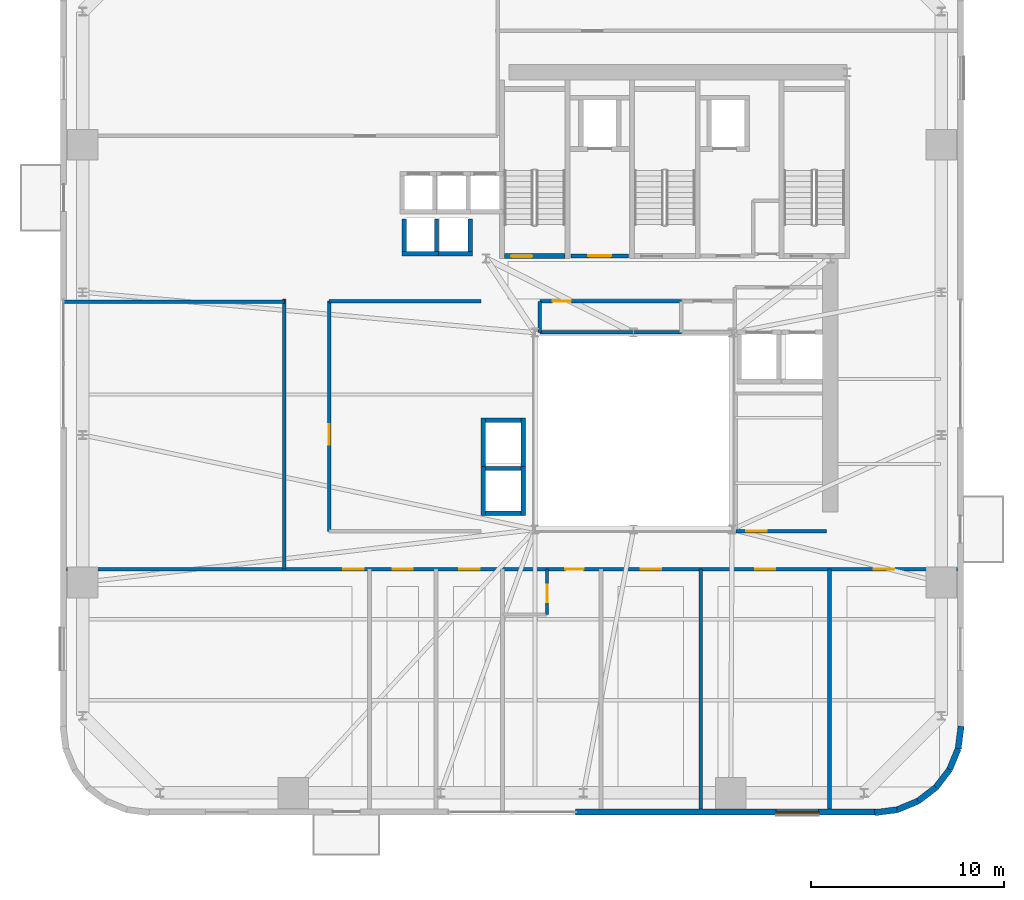
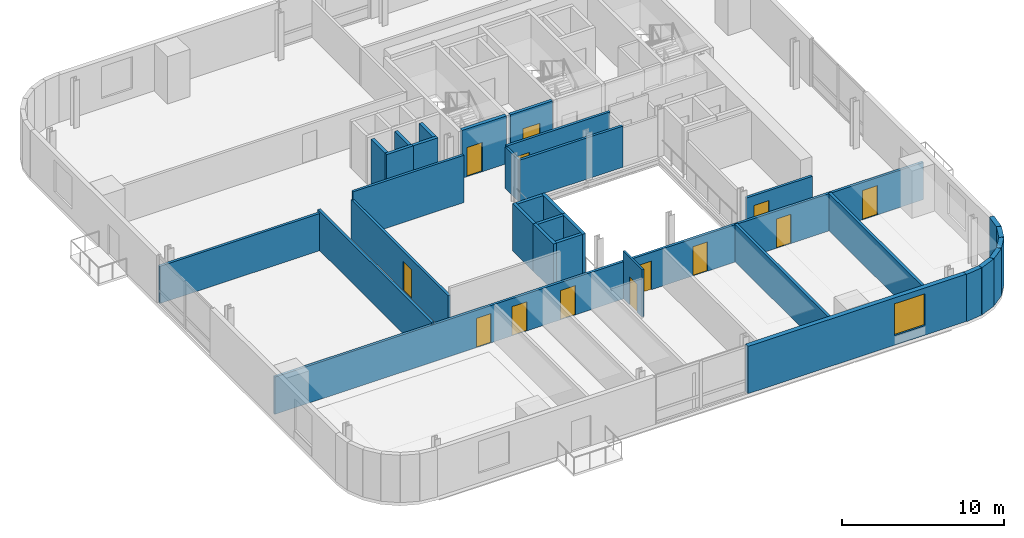
# One storey, part 6 of 14: 33 walls, 13 doors, 1 window, 14 openings.
"""IFC4 building model written with IfcOpenShell, lengths in metres."""

from ifc_helpers import new_model, si_unit, direction, frame, frame_2d, origin, place, context, subcontext, project, spatial, rectangle, extrude, source, transform, mapped, material, layer, layer_set, type_object, element, fill, save


model = new_model("IFC4")

# Units and contexts
model_context = context("Model", 3, precision=1e-05, world=origin(), true_north=direction((0.0, 1.0)))
body_context = subcontext(model_context, "Body", "Model", "MODEL_VIEW")
ifc_project = project(units=[si_unit("LENGTHUNIT", "METRE"), si_unit("AREAUNIT", "SQUARE_METRE"), si_unit("VOLUMEUNIT", "CUBIC_METRE"), si_unit("PLANEANGLEUNIT", "RADIAN"), si_unit("MASSUNIT", "GRAM", prefix="KILO")], contexts=[model_context])

# Site, building, storey
site_placement = place(None, origin())
site = spatial("IfcSite", under=ifc_project, at=site_placement, CompositionType="ELEMENT")
building_placement = place(site_placement, origin())
building = spatial("IfcBuilding", under=site, at=building_placement, Name="Vardaveli Station Tower", CompositionType="ELEMENT")
storey_placement = place(building_placement, frame((0.0, 0.0, 107.5)))
storey = spatial("IfcBuildingStorey", under=building, at=storey_placement, Name="L27", CompositionType="ELEMENT", Elevation=107.5)

# Wall, opening, window
ifc_material_1 = material(Name="Precast concrete C45/55", Category="concrete")
ifc_layer_1 = layer(ifc_material_1, 0.320068359375, Name="Precast concrete C45/55")
ifc_layer_set_1 = layer_set([ifc_layer_1], Name="Precast concrete C45/55")
wall_type_1 = type_object("IfcWallType", Name="WAL-EXT-STONE-320", PredefinedType="SOLIDWALL", material=ifc_layer_set_1)
shared_shape_1 = source(origin(), body_context, "Body", "SweptSolid", [
    extrude(rectangle(XDim=15.599853515625, YDim=0.320068359375, at=frame_2d((7.7998046875, 0.0))), origin(), (0.0, 0.0, 1.0), 3.56005859375),
])
wall_1_placement = place(storey_placement, frame((33.300048828125, 1.9599609375, 0.0), z_axis=(0.0, 0.0, 1.0), x_axis=(1.0, 0.0, 0.0)))
wall_1 = element("IfcWall", 1, at=wall_1_placement, inside=storey, type_object=wall_type_1, Name="EW-L27-S2", PredefinedType="SOLIDWALL", context=body_context, shape_type="MappedRepresentation", body=[
    mapped(shared_shape_1, transform((0.0, 0.0, 0.0), scale=1.0)),
])
shared_shape_2 = source(origin(), body_context, "Body", "SweptSolid", [
    extrude(rectangle(XDim=2.199951171875, YDim=2.39990234375, at=frame_2d((1.10009765625, 1.199951171875))), frame((0.0, 0.169921875, 0.0), z_axis=(0.0, -1.0, 0.0), x_axis=(1.0, 0.0, 0.0)), (0.0, 0.0, 1.0), 0.340087890625),
])
opening_1_placement = place(wall_1_placement, frame((10.39501953125, 0.0, 0.719970703125)))
opening_1 = element("IfcOpeningElement", 2, at=opening_1_placement, cuts=wall_1, Name="Opening W-03", PredefinedType="OPENING", context=body_context, shape_type="MappedRepresentation", body=[
    mapped(shared_shape_2, transform((0.0, 0.0, 0.0), scale=1.0)),
])
ifc_material_2 = material(Name="Low-E solar-control glass", Category="glass")
window_type = type_object("IfcWindowType", Name="WIN-LOG-2200x2400", PartitioningType="SINGLE_PANEL", PredefinedType="WINDOW", material=ifc_material_2)
shared_shape_3 = source(origin(), body_context, "Body", "SweptSolid", [
    extrude(rectangle(XDim=2.199951171875, YDim=2.39990234375, at=frame_2d((1.10009765625, 1.199951171875))), frame((0.0, 0.030029296875, 0.0), z_axis=(0.0, -1.0, 0.0), x_axis=(1.0, 0.0, 0.0)), (0.0, 0.0, 1.0), 0.06005859375),
])
window_placement = place(opening_1_placement, origin())
window = element("IfcWindow", 3, at=window_placement, inside=storey, type_object=window_type, Name="WN-L27-S2", OverallHeight=2.39990234375, OverallWidth=2.199951171875, PartitioningType="SINGLE_PANEL", PredefinedType="WINDOW", context=body_context, shape_type="MappedRepresentation", body=[
    mapped(shared_shape_3, transform((0.0, 0.0, 0.0), scale=1.0)),
])
fill(opening_1, window)

# Walls
shared_shape_4 = source(origin(), body_context, "Body", "SweptSolid", [
    extrude(rectangle(XDim=1.170654296875, YDim=0.320068359375, at=frame_2d((0.58544921875, 0.0))), origin(), (0.0, 0.0, 1.0), 3.56005859375),
])
wall_2_placement = place(storey_placement, frame((53.12548828125, 5.23974609375, 0.0), z_axis=(0.0, 0.0, 1.0), x_axis=(0.128269133229, 0.991739395941, 0.0)))
element("IfcWall", 4, at=wall_2_placement, inside=storey, type_object=wall_type_1, Name="EW-L27-CR2-6", PredefinedType="SOLIDWALL", context=body_context, shape_type="MappedRepresentation", body=[
    mapped(shared_shape_4, transform((0.0, 0.0, 0.0), scale=1.0)),
])
shared_shape_5 = source(origin(), body_context, "Body", "SweptSolid", [
    extrude(rectangle(XDim=1.1689453125, YDim=0.320068359375, at=frame_2d((0.58447265625, 0.0))), origin(), (0.0, 0.0, 1.0), 3.56005859375),
])
for number, where, z_axis, x_axis, name in (
    (5, (51.96875, 3.231201171875, 0.0), (0.0, 0.0, 1.0), (0.608387696831, 0.793639975269, 0.0), "EW-L27-CR2-4"),
    (6, (52.679931640625, 4.158935546875, 0.0), (0.0, 0.0, 1.0), (0.381127904695, 0.924522320046, 0.0), "EW-L27-CR2-5"),
):
    element("IfcWall", number, at=place(storey_placement, frame(where, z_axis=z_axis, x_axis=x_axis)), inside=storey, type_object=wall_type_1, Name=name, PredefinedType="SOLIDWALL", context=body_context, shape_type="MappedRepresentation", body=[
        mapped(shared_shape_5, transform((0.0, 0.0, 0.0), scale=1.0)),
    ])
shared_shape_6 = source(origin(), body_context, "Body", "SweptSolid", [
    extrude(rectangle(XDim=1.168701171875, YDim=0.320068359375, at=frame_2d((0.58447265625, 0.0))), origin(), (0.0, 0.0, 1.0), 3.56005859375),
])
wall_3_placement = place(storey_placement, frame((51.041259765625, 2.520263671875, 0.0), z_axis=(0.0, 0.0, 1.0), x_axis=(0.793663520347, 0.608356981114, 0.0)))
element("IfcWall", 7, at=wall_3_placement, inside=storey, type_object=wall_type_1, Name="EW-L27-CR2-3", PredefinedType="SOLIDWALL", context=body_context, shape_type="MappedRepresentation", body=[
    mapped(shared_shape_6, transform((0.0, 0.0, 0.0), scale=1.0)),
])
shared_shape_7 = source(origin(), body_context, "Body", "SweptSolid", [
    extrude(rectangle(XDim=1.16943359375, YDim=0.320068359375, at=frame_2d((0.584716796875, 0.0))), origin(), (0.0, 0.0, 1.0), 3.56005859375),
])
wall_4_placement = place(storey_placement, frame((49.960205078125, 2.074462890625, 0.0), z_axis=(0.0, 0.0, 1.0), x_axis=(0.924479075121, 0.381232789334, 0.0)))
element("IfcWall", 8, at=wall_4_placement, inside=storey, type_object=wall_type_1, Name="EW-L27-CR2-2", PredefinedType="SOLIDWALL", context=body_context, shape_type="MappedRepresentation", body=[
    mapped(shared_shape_7, transform((0.0, 0.0, 0.0), scale=1.0)),
])
shared_shape_8 = source(origin(), body_context, "Body", "SweptSolid", [
    extrude(rectangle(XDim=1.170166015625, YDim=0.320068359375, at=frame_2d((0.5849609375, 0.0))), origin(), (0.0, 0.0, 1.0), 3.56005859375),
])
wall_5_placement = place(storey_placement, frame((48.799560546875, 1.924560546875, 0.0), z_axis=(0.0, 0.0, 1.0), x_axis=(0.991762485493, 0.128090485085, 0.0)))
element("IfcWall", 9, at=wall_5_placement, inside=storey, type_object=wall_type_1, Name="EW-L27-CR2-1", PredefinedType="SOLIDWALL", context=body_context, shape_type="MappedRepresentation", body=[
    mapped(shared_shape_8, transform((0.0, 0.0, 0.0), scale=1.0)),
])

# Wall, opening, door
ifc_material_3 = material(Name="Concrete C40/50", Category="concrete")
ifc_layer_2 = layer(ifc_material_3, 0.25, Name="Concrete C40/50")
ifc_layer_set_2 = layer_set([ifc_layer_2], Name="Concrete C40/50")
wall_type_2 = type_object("IfcWallType", Name="WAL-SHAFT-250", PredefinedType="SOLIDWALL", material=ifc_layer_set_2)
shared_shape_9 = source(origin(), body_context, "Body", "SweptSolid", [
    extrude(rectangle(XDim=3.14990234375, YDim=0.25, at=frame_2d((1.574951171875, 0.0))), origin(), (0.0, 0.0, 1.0), 3.60009765625),
])
wall_6_placement = place(storey_placement, frame((29.60009765625, 30.77490234375, 0.0), z_axis=(0.0, 0.0, 1.0), x_axis=(1.0, 0.0, 0.0)))
wall_6 = element("IfcWall", 10, at=wall_6_placement, inside=storey, type_object=wall_type_2, Name="W-L27-ST-1S", PredefinedType="SOLIDWALL", context=body_context, shape_type="MappedRepresentation", body=[
    mapped(shared_shape_9, transform((0.0, 0.0, 0.0), scale=1.0)),
])
shared_shape_10 = source(origin(), body_context, "Body", "SweptSolid", [
    extrude(rectangle(XDim=1.10009765625, YDim=2.199951171875, at=frame_2d((0.550048828125, 1.10009765625))), frame((0.0, 0.135009765625, 0.0), z_axis=(0.0, -1.0, 0.0), x_axis=(1.0, 0.0, 0.0)), (0.0, 0.0, 1.0), 0.27001953125),
])
opening_2_placement = place(wall_6_placement, frame((0.35009765625, 0.0, 0.0)))
opening_2 = element("IfcOpeningElement", 11, at=opening_2_placement, cuts=wall_6, Name="Opening D-04", PredefinedType="OPENING", context=body_context, shape_type="MappedRepresentation", body=[
    mapped(shared_shape_10, transform((0.0, 0.0, 0.0), scale=1.0)),
])
ifc_material_4 = material(Name="Steel smokeproof fire doorset", Category="steel")
door_type_1 = type_object("IfcDoorType", Name="DR-ST-1100x2200", OperationType="NOTDEFINED", PredefinedType="DOOR", material=ifc_material_4)
shared_shape_11 = source(origin(), body_context, "Body", "SweptSolid", [
    extrude(rectangle(XDim=1.10009765625, YDim=2.199951171875, at=frame_2d((0.550048828125, 1.10009765625))), frame((0.0, 0.02490234375, 0.0), z_axis=(0.0, -1.0, 0.0), x_axis=(1.0, 0.0, 0.0)), (0.0, 0.0, 1.0), 0.050048828125),
])
door_1_placement = place(opening_2_placement, origin())
door_1 = element("IfcDoor", 12, at=door_1_placement, inside=storey, type_object=door_type_1, Name="DST-1-L27", OperationType="SINGLE_SWING_LEFT", OverallHeight=2.199951171875, OverallWidth=1.10009765625, PredefinedType="DOOR", context=body_context, shape_type="MappedRepresentation", body=[
    mapped(shared_shape_11, transform((0.0, 0.0, 0.0), scale=1.0)),
])
fill(opening_2, door_1)

ifc_layer_3 = layer(ifc_material_3, 0.219970703125, Name="Concrete C40/50")
ifc_layer_set_3 = layer_set([ifc_layer_3], Name="Concrete C40/50")
wall_type_3 = type_object("IfcWallType", Name="WAL-FFLOBBY-220", PredefinedType="SOLIDWALL", material=ifc_layer_set_3)
shared_shape_12 = source(origin(), body_context, "Body", "SweptSolid", [
    extrude(rectangle(XDim=3.0, YDim=0.219970703125, at=frame_2d((1.5, 0.0))), origin(), (0.0, 0.0, 1.0), 3.56005859375),
])
wall_7_placement = place(storey_placement, frame((33.050048828125, 30.780029296875, 0.0), z_axis=(0.0, 0.0, 1.0), x_axis=(1.0, 0.0, 0.0)))
wall_7 = element("IfcWall", 13, at=wall_7_placement, inside=storey, type_object=wall_type_3, Name="W-L27-FFL1S", PredefinedType="SOLIDWALL", context=body_context, shape_type="MappedRepresentation", body=[
    mapped(shared_shape_12, transform((0.0, 0.0, 0.0), scale=1.0)),
])
shared_shape_13 = source(origin(), body_context, "Body", "SweptSolid", [
    extrude(rectangle(XDim=1.199951171875, YDim=2.199951171875, at=frame_2d((0.60009765625, 1.10009765625))), frame((0.0, 0.1201171875, 0.0), z_axis=(0.0, -1.0, 0.0), x_axis=(1.0, 0.0, 0.0)), (0.0, 0.0, 1.0), 0.239990234375),
])
opening_3_placement = place(wall_7_placement, frame((0.89990234375, 0.0, 0.0)))
opening_3 = element("IfcOpeningElement", 14, at=opening_3_placement, cuts=wall_7, Name="Opening D-03", PredefinedType="OPENING", context=body_context, shape_type="MappedRepresentation", body=[
    mapped(shared_shape_13, transform((0.0, 0.0, 0.0), scale=1.0)),
])
door_type_2 = type_object("IfcDoorType", Name="DR-FFL-1200x2200", OperationType="NOTDEFINED", PredefinedType="DOOR", material=ifc_material_4)
shared_shape_14 = source(origin(), body_context, "Body", "SweptSolid", [
    extrude(rectangle(XDim=1.199951171875, YDim=2.199951171875, at=frame_2d((0.60009765625, 1.10009765625))), frame((0.0, 0.02490234375, 0.0), z_axis=(0.0, -1.0, 0.0), x_axis=(1.0, 0.0, 0.0)), (0.0, 0.0, 1.0), 0.050048828125),
])
door_2_placement = place(opening_3_placement, origin())
door_2 = element("IfcDoor", 15, at=door_2_placement, inside=storey, type_object=door_type_2, Name="DFFL1-L27", OperationType="SINGLE_SWING_LEFT", OverallHeight=2.199951171875, OverallWidth=1.199951171875, PredefinedType="DOOR", context=body_context, shape_type="MappedRepresentation", body=[
    mapped(shared_shape_14, transform((0.0, 0.0, 0.0), scale=1.0)),
])
fill(opening_3, door_2)

# Walls
shared_shape_15 = source(origin(), body_context, "Body", "SweptSolid", [
    extrude(rectangle(XDim=1.89013671875, YDim=0.219970703125, at=frame_2d((0.945068359375, 0.0))), origin(), (0.0, 0.0, 1.0), 3.56005859375),
])
for number, where, z_axis, x_axis, name in (
    (16, (24.304931640625, 30.889892578125, 0.0), (0.0, 0.0, 1.0), (1.0, 0.0, 0.0), "SHW-SHU-01-L27-S"),
    (17, (26.054931640625, 30.889892578125, 0.0), (0.0, 0.0, 1.0), (1.0, 0.0, 0.0), "SHW-SHU-02-L27-S"),
):
    element("IfcWall", number, at=place(storey_placement, frame(where, z_axis=z_axis, x_axis=x_axis)), inside=storey, type_object=wall_type_3, Name=name, PredefinedType="SOLIDWALL", context=body_context, shape_type="MappedRepresentation", body=[
        mapped(shared_shape_15, transform((0.0, 0.0, 0.0), scale=1.0)),
    ])
shared_shape_16 = source(origin(), body_context, "Body", "SweptSolid", [
    extrude(rectangle(XDim=1.699951171875, YDim=0.219970703125, at=frame_2d((0.85009765625, 0.0))), origin(), (0.0, 0.0, 1.0), 3.56005859375),
])
for number, where, z_axis, x_axis, name in (
    (18, (24.4150390625, 31.0, 0.0), (0.0, 0.0, 1.0), (0.0, 1.0, 0.0), "SHW-SHU-01-L27-W"),
    (19, (26.0849609375, 31.0, 0.0), (0.0, 0.0, 1.0), (0.0, 1.0, 0.0), "SHW-SHU-01-L27-E"),
    (20, (27.8349609375, 31.0, 0.0), (0.0, 0.0, 1.0), (0.0, 1.0, 0.0), "SHW-SHU-02-L27-E"),
):
    element("IfcWall", number, at=place(storey_placement, frame(where, z_axis=z_axis, x_axis=x_axis)), inside=storey, type_object=wall_type_3, Name=name, PredefinedType="SOLIDWALL", context=body_context, shape_type="MappedRepresentation", body=[
        mapped(shared_shape_16, transform((0.0, 0.0, 0.0), scale=1.0)),
    ])
shared_shape_17 = source(origin(), body_context, "Body", "SweptSolid", [
    extrude(rectangle(XDim=1.85009765625, YDim=0.219970703125, at=frame_2d((0.925048828125, 0.0))), origin(), (0.0, 0.0, 1.0), 3.56005859375),
])
for number, where, z_axis, x_axis, name in (
    (21, (28.625, 17.43994140625, 0.0), (0.0, 0.0, 1.0), (1.0, 0.0, 0.0), "SHW-OBS-01-L27-S"),
    (22, (28.625, 19.760009765625, 0.0), (0.0, 0.0, 1.0), (1.0, 0.0, 0.0), "SHW-OBS-01-L27-N"),
    (23, (28.625, 22.260009765625, 0.0), (0.0, 0.0, 1.0), (1.0, 0.0, 0.0), "SHW-OBS-02-L27-N"),
):
    element("IfcWall", number, at=place(storey_placement, frame(where, z_axis=z_axis, x_axis=x_axis)), inside=storey, type_object=wall_type_3, Name=name, PredefinedType="SOLIDWALL", context=body_context, shape_type="MappedRepresentation", body=[
        mapped(shared_shape_17, transform((0.0, 0.0, 0.0), scale=1.0)),
    ])
shared_shape_18 = source(origin(), body_context, "Body", "SweptSolid", [
    extrude(rectangle(XDim=2.5400390625, YDim=0.219970703125, at=frame_2d((1.27001953125, 0.0))), origin(), (0.0, 0.0, 1.0), 3.56005859375),
])
for number, where, z_axis, x_axis, name in (
    (24, (28.514892578125, 17.330078125, 0.0), (0.0, 0.0, 1.0), (0.0, 1.0, 0.0), "SHW-OBS-01-L27-W"),
    (25, (30.5849609375, 17.330078125, 0.0), (0.0, 0.0, 1.0), (0.0, 1.0, 0.0), "SHW-OBS-01-L27-E"),
    (26, (28.514892578125, 19.830078125, 0.0), (0.0, 0.0, 1.0), (0.0, 1.0, 0.0), "SHW-OBS-02-L27-W"),
    (27, (30.5849609375, 19.830078125, 0.0), (0.0, 0.0, 1.0), (0.0, 1.0, 0.0), "SHW-OBS-02-L27-E"),
):
    element("IfcWall", number, at=place(storey_placement, frame(where, z_axis=z_axis, x_axis=x_axis)), inside=storey, type_object=wall_type_3, Name=name, PredefinedType="SOLIDWALL", context=body_context, shape_type="MappedRepresentation", body=[
        mapped(shared_shape_18, transform((0.0, 0.0, 0.0), scale=1.0)),
    ])

# Wall, openings, doors
ifc_material_5 = material(Name="Fire-rated gypsum stud partition")
ifc_layer_4 = layer(ifc_material_5, 0.179931640625, Name="Fire-rated gypsum stud partition")
ifc_layer_set_4 = layer_set([ifc_layer_4], Name="Fire-rated gypsum stud partition")
wall_type_4 = type_object("IfcWallType", Name="WAL-CORR-180", PredefinedType="PARTITIONING", material=ifc_layer_set_4)
shared_shape_19 = source(origin(), body_context, "Body", "SweptSolid", [
    extrude(rectangle(XDim=46.15576171875, YDim=0.179931640625, at=frame_2d((23.077880859375, 0.0))), origin(), (0.0, 0.0, 1.0), 2.802001953125),
])
wall_8_placement = place(storey_placement, frame((6.922119140625, 14.550048828125, 0.0), z_axis=(0.0, 0.0, 1.0), x_axis=(1.0, 0.0, 0.0)))
wall_8 = element("IfcWall", 28, at=wall_8_placement, inside=storey, type_object=wall_type_4, Name="W-L27-CS", PredefinedType="PARTITIONING", context=body_context, shape_type="MappedRepresentation", body=[
    mapped(shared_shape_19, transform((0.0, 0.0, 0.0), scale=1.0)),
])
shared_shape_20 = source(origin(), body_context, "Body", "SweptSolid", [
    extrude(rectangle(XDim=1.050048828125, YDim=2.199951171875, at=frame_2d((0.52490234375, 1.10009765625))), frame((0.0, 0.10009765625, 0.0), z_axis=(0.0, -1.0, 0.0), x_axis=(1.0, 0.0, 0.0)), (0.0, 0.0, 1.0), 0.199951171875),
])
opening_4_placement = place(wall_8_placement, frame((14.33837890625, 0.0, 0.0)))
opening_4 = element("IfcOpeningElement", 29, at=opening_4_placement, cuts=wall_8, Name="Opening D-05", PredefinedType="OPENING", context=body_context, shape_type="MappedRepresentation", body=[
    mapped(shared_shape_20, transform((0.0, 0.0, 0.0), scale=1.0)),
])
opening_5_placement = place(wall_8_placement, frame((16.893310546875, 0.0, 0.0)))
opening_5 = element("IfcOpeningElement", 30, at=opening_5_placement, cuts=wall_8, Name="Opening D-05", PredefinedType="OPENING", context=body_context, shape_type="MappedRepresentation", body=[
    mapped(shared_shape_20, transform((0.0, 0.0, 0.0), scale=1.0)),
])
opening_6_placement = place(wall_8_placement, frame((20.343505859375, 0.0, 0.0)))
opening_6 = element("IfcOpeningElement", 31, at=opening_6_placement, cuts=wall_8, Name="Opening D-05", PredefinedType="OPENING", context=body_context, shape_type="MappedRepresentation", body=[
    mapped(shared_shape_20, transform((0.0, 0.0, 0.0), scale=1.0)),
])
shared_shape_21 = source(origin(), body_context, "Body", "SweptSolid", [
    extrude(rectangle(XDim=0.949951171875, YDim=2.14990234375, at=frame_2d((0.47509765625, 1.074951171875))), frame((0.0, 0.10009765625, 0.0), z_axis=(0.0, -1.0, 0.0), x_axis=(1.0, 0.0, 0.0)), (0.0, 0.0, 1.0), 0.199951171875),
])
opening_7_placement = place(wall_8_placement, frame((25.841552734375, 0.0, 0.0)))
opening_7 = element("IfcOpeningElement", 32, at=opening_7_placement, cuts=wall_8, Name="Opening D-06", PredefinedType="OPENING", context=body_context, shape_type="MappedRepresentation", body=[
    mapped(shared_shape_21, transform((0.0, 0.0, 0.0), scale=1.0)),
])
opening_8_placement = place(wall_8_placement, frame((29.75390625, 0.0, 0.0)))
opening_8 = element("IfcOpeningElement", 33, at=opening_8_placement, cuts=wall_8, Name="Opening D-05", PredefinedType="OPENING", context=body_context, shape_type="MappedRepresentation", body=[
    mapped(shared_shape_20, transform((0.0, 0.0, 0.0), scale=1.0)),
])
opening_9_placement = place(wall_8_placement, frame((35.682861328125, 0.0, 0.0)))
opening_9 = element("IfcOpeningElement", 34, at=opening_9_placement, cuts=wall_8, Name="Opening D-05", PredefinedType="OPENING", context=body_context, shape_type="MappedRepresentation", body=[
    mapped(shared_shape_20, transform((0.0, 0.0, 0.0), scale=1.0)),
])
opening_10_placement = place(wall_8_placement, frame((41.827880859375, 0.0, 0.0)))
opening_10 = element("IfcOpeningElement", 35, at=opening_10_placement, cuts=wall_8, Name="Opening D-05", PredefinedType="OPENING", context=body_context, shape_type="MappedRepresentation", body=[
    mapped(shared_shape_20, transform((0.0, 0.0, 0.0), scale=1.0)),
])
ifc_material_6 = material(Name="Walnut veneer acoustic fire door")
door_type_3 = type_object("IfcDoorType", Name="DR-SUITE-1050x2200", OperationType="NOTDEFINED", PredefinedType="DOOR", material=ifc_material_6)
shared_shape_22 = source(origin(), body_context, "Body", "SweptSolid", [
    extrude(rectangle(XDim=1.050048828125, YDim=2.199951171875, at=frame_2d((0.52490234375, 1.10009765625))), frame((0.0, 0.02490234375, 0.0), z_axis=(0.0, -1.0, 0.0), x_axis=(1.0, 0.0, 0.0)), (0.0, 0.0, 1.0), 0.050048828125),
])
door_3_placement = place(opening_4_placement, origin())
door_3 = element("IfcDoor", 36, at=door_3_placement, inside=storey, type_object=door_type_3, Name="D-L27-SA1", OperationType="SINGLE_SWING_RIGHT", OverallHeight=2.199951171875, OverallWidth=1.050048828125, PredefinedType="DOOR", context=body_context, shape_type="MappedRepresentation", body=[
    mapped(shared_shape_22, transform((0.0, 0.0, 0.0), scale=1.0)),
])
fill(opening_4, door_3)
door_4_placement = place(opening_5_placement, origin())
door_4 = element("IfcDoor", 37, at=door_4_placement, inside=storey, type_object=door_type_3, Name="D-L27-SA2", OperationType="SINGLE_SWING_LEFT", OverallHeight=2.199951171875, OverallWidth=1.050048828125, PredefinedType="DOOR", context=body_context, shape_type="MappedRepresentation", body=[
    mapped(shared_shape_22, transform((0.0, 0.0, 0.0), scale=1.0)),
])
fill(opening_5, door_4)
door_5_placement = place(opening_6_placement, origin())
door_5 = element("IfcDoor", 38, at=door_5_placement, inside=storey, type_object=door_type_3, Name="D-L27-SA3", OperationType="SINGLE_SWING_RIGHT", OverallHeight=2.199951171875, OverallWidth=1.050048828125, PredefinedType="DOOR", context=body_context, shape_type="MappedRepresentation", body=[
    mapped(shared_shape_22, transform((0.0, 0.0, 0.0), scale=1.0)),
])
fill(opening_6, door_5)
door_6_placement = place(opening_8_placement, origin())
door_6 = element("IfcDoor", 39, at=door_6_placement, inside=storey, type_object=door_type_3, Name="D-L27-SA5", OperationType="SINGLE_SWING_RIGHT", OverallHeight=2.199951171875, OverallWidth=1.050048828125, PredefinedType="DOOR", context=body_context, shape_type="MappedRepresentation", body=[
    mapped(shared_shape_22, transform((0.0, 0.0, 0.0), scale=1.0)),
])
fill(opening_8, door_6)
door_7_placement = place(opening_9_placement, origin())
door_7 = element("IfcDoor", 40, at=door_7_placement, inside=storey, type_object=door_type_3, Name="D-L27-SA6", OperationType="SINGLE_SWING_LEFT", OverallHeight=2.199951171875, OverallWidth=1.050048828125, PredefinedType="DOOR", context=body_context, shape_type="MappedRepresentation", body=[
    mapped(shared_shape_22, transform((0.0, 0.0, 0.0), scale=1.0)),
])
fill(opening_9, door_7)
door_8_placement = place(opening_10_placement, origin())
door_8 = element("IfcDoor", 41, at=door_8_placement, inside=storey, type_object=door_type_3, Name="D-L27-SA7", OperationType="SINGLE_SWING_RIGHT", OverallHeight=2.199951171875, OverallWidth=1.050048828125, PredefinedType="DOOR", context=body_context, shape_type="MappedRepresentation", body=[
    mapped(shared_shape_22, transform((0.0, 0.0, 0.0), scale=1.0)),
])
fill(opening_10, door_8)
ifc_material_7 = material(Name="Oak veneer acoustic fire door")
door_type_4 = type_object("IfcDoorType", Name="DR-GUEST-950x2150", OperationType="NOTDEFINED", PredefinedType="DOOR", material=ifc_material_7)
shared_shape_23 = source(origin(), body_context, "Body", "SweptSolid", [
    extrude(rectangle(XDim=0.949951171875, YDim=2.14990234375, at=frame_2d((0.47509765625, 1.074951171875))), frame((0.0, 0.02490234375, 0.0), z_axis=(0.0, -1.0, 0.0), x_axis=(1.0, 0.0, 0.0)), (0.0, 0.0, 1.0), 0.050048828125),
])
door_9_placement = place(opening_7_placement, origin())
door_9 = element("IfcDoor", 42, at=door_9_placement, inside=storey, type_object=door_type_4, Name="D-L27-GS4", OperationType="SINGLE_SWING_LEFT", OverallHeight=2.14990234375, OverallWidth=0.949951171875, PredefinedType="DOOR", context=body_context, shape_type="MappedRepresentation", body=[
    mapped(shared_shape_23, transform((0.0, 0.0, 0.0), scale=1.0)),
])
fill(opening_7, door_9)

# Wall, opening, door
ifc_material_8 = material(Name="Moisture-resistant stud partition")
ifc_layer_5 = layer(ifc_material_8, 0.14990234375, Name="Moisture-resistant stud partition")
ifc_layer_set_5 = layer_set([ifc_layer_5], Name="Moisture-resistant stud partition")
wall_type_5 = type_object("IfcWallType", Name="WAL-WET-150", PredefinedType="PARTITIONING", material=ifc_layer_set_5)
shared_shape_24 = source(origin(), body_context, "Body", "SweptSolid", [
    extrude(rectangle(XDim=2.360107421875, YDim=0.14990234375, at=frame_2d((1.18017578125, 0.0))), origin(), (0.0, 0.0, 1.0), 3.56005859375),
])
wall_9_placement = place(storey_placement, frame((31.820068359375, 12.18994140625, 0.0), z_axis=(0.0, 0.0, 1.0), x_axis=(0.0, 1.0, 0.0)))
wall_9 = element("IfcWall", 43, at=wall_9_placement, inside=storey, type_object=wall_type_5, Name="W-L27-BS4-E", PredefinedType="PARTITIONING", context=body_context, shape_type="MappedRepresentation", body=[
    mapped(shared_shape_24, transform((0.0, 0.0, 0.0), scale=1.0)),
])
shared_shape_25 = source(origin(), body_context, "Body", "SweptSolid", [
    extrude(rectangle(XDim=0.89990234375, YDim=2.10009765625, at=frame_2d((0.449951171875, 1.050048828125))), frame((0.0, 0.0849609375, 0.0), z_axis=(0.0, -1.0, 0.0), x_axis=(1.0, 0.0, 0.0)), (0.0, 0.0, 1.0), 0.169921875),
])
opening_11_placement = place(wall_9_placement, frame((0.64990234375, 0.0, 0.0)))
opening_11 = element("IfcOpeningElement", 44, at=opening_11_placement, cuts=wall_9, Name="Opening D-08", PredefinedType="OPENING", context=body_context, shape_type="MappedRepresentation", body=[
    mapped(shared_shape_25, transform((0.0, 0.0, 0.0), scale=1.0)),
])
ifc_material_9 = material(Name="Moisture-resistant oak door")
door_type_5 = type_object("IfcDoorType", Name="DR-BATH-900x2100", OperationType="NOTDEFINED", PredefinedType="DOOR", material=ifc_material_9)
shared_shape_26 = source(origin(), body_context, "Body", "SweptSolid", [
    extrude(rectangle(XDim=0.89990234375, YDim=2.10009765625, at=frame_2d((0.449951171875, 1.050048828125))), frame((0.0, 0.02490234375, 0.0), z_axis=(0.0, -1.0, 0.0), x_axis=(1.0, 0.0, 0.0)), (0.0, 0.0, 1.0), 0.050048828125),
])
door_10_placement = place(opening_11_placement, origin())
door_10 = element("IfcDoor", 45, at=door_10_placement, inside=storey, type_object=door_type_5, Name="D-L27-BS4", OperationType="SINGLE_SWING_RIGHT", OverallHeight=2.10009765625, OverallWidth=0.89990234375, PredefinedType="DOOR", context=body_context, shape_type="MappedRepresentation", body=[
    mapped(shared_shape_26, transform((0.0, 0.0, 0.0), scale=1.0)),
])
fill(opening_11, door_10)

# Walls
ifc_material_10 = material(Name="Acoustic twin-stud gypsum partition")
ifc_layer_6 = layer(ifc_material_10, 0.199951171875, Name="Acoustic twin-stud gypsum partition")
ifc_layer_set_6 = layer_set([ifc_layer_6], Name="Acoustic twin-stud gypsum partition")
wall_type_6 = type_object("IfcWallType", Name="WAL-PARTY-200", PredefinedType="PARTITIONING", material=ifc_layer_set_6)
shared_shape_27 = source(origin(), body_context, "Body", "SweptSolid", [
    extrude(rectangle(XDim=12.427978515625, YDim=0.199951171875, at=frame_2d((6.2138671875, 0.0))), origin(), (0.0, 0.0, 1.0), 2.802001953125),
])
for number, where, z_axis, x_axis, name in (
    (46, (39.784912109375, 2.1220703125, 0.0), (0.0, 0.0, 1.0), (0.0, 1.0, 0.0), "W-L27-PS5"),
    (47, (46.464111328125, 2.1220703125, 0.0), (0.0, 0.0, 1.0), (0.0, 1.0, 0.0), "W-L27-PS6"),
):
    element("IfcWall", number, at=place(storey_placement, frame(where, z_axis=z_axis, x_axis=x_axis)), inside=storey, type_object=wall_type_6, Name=name, PredefinedType="PARTITIONING", context=body_context, shape_type="MappedRepresentation", body=[
        mapped(shared_shape_27, transform((0.0, 0.0, 0.0), scale=1.0)),
    ])
shared_shape_28 = source(origin(), body_context, "Body", "SweptSolid", [
    extrude(rectangle(XDim=11.469970703125, YDim=0.179931640625, at=frame_2d((5.73486328125, 0.0))), origin(), (0.0, 0.0, 1.0), 2.802001953125),
])
wall_10_placement = place(storey_placement, frame((6.72998046875, 28.39990234375, 0.0), z_axis=(0.0, 0.0, 1.0), x_axis=(1.0, 0.0, 0.0)))
element("IfcWall", 48, at=wall_10_placement, inside=storey, type_object=wall_type_4, Name="W-L27-CWN", PredefinedType="PARTITIONING", context=body_context, shape_type="MappedRepresentation", body=[
    mapped(shared_shape_28, transform((0.0, 0.0, 0.0), scale=1.0)),
])
shared_shape_29 = source(origin(), body_context, "Body", "SweptSolid", [
    extrude(rectangle(XDim=7.8798828125, YDim=0.179931640625, at=frame_2d((3.93994140625, 0.0))), origin(), (0.0, 0.0, 1.0), 3.56005859375),
])
wall_11_placement = place(storey_placement, frame((20.52001953125, 28.43994140625, 0.0), z_axis=(0.0, 0.0, 1.0), x_axis=(1.0, 0.0, 0.0)))
element("IfcWall", 49, at=wall_11_placement, inside=storey, type_object=wall_type_4, Name="W-L27-ATW-N", PredefinedType="PARTITIONING", context=body_context, shape_type="MappedRepresentation", body=[
    mapped(shared_shape_29, transform((0.0, 0.0, 0.0), scale=1.0)),
])
shared_shape_30 = source(origin(), body_context, "Body", "SweptSolid", [
    extrude(rectangle(XDim=1.599853515625, YDim=0.179931640625, at=frame_2d((0.7998046875, 0.0))), origin(), (0.0, 0.0, 1.0), 3.10205078125),
])
wall_12_placement = place(storey_placement, frame((31.449951171875, 26.820068359375, 0.0), z_axis=(0.0, 0.0, 1.0), x_axis=(0.0, 1.0, 0.0)))
element("IfcWall", 50, at=wall_12_placement, inside=storey, type_object=wall_type_4, Name="W-L27-HKP0-W", PredefinedType="PARTITIONING", context=body_context, shape_type="MappedRepresentation", body=[
    mapped(shared_shape_30, transform((0.0, 0.0, 0.0), scale=1.0)),
])

# Wall, opening, door
shared_shape_31 = source(origin(), body_context, "Body", "SweptSolid", [
    extrude(rectangle(XDim=11.93994140625, YDim=0.179931640625, at=frame_2d((5.969970703125, 0.0))), origin(), (0.0, 0.0, 1.0), 2.951904296875),
])
wall_13_placement = place(storey_placement, frame((20.52001953125, 16.5, 0.0), z_axis=(0.0, 0.0, 1.0), x_axis=(0.0, 1.0, 0.0)))
wall_13 = element("IfcWall", 51, at=wall_13_placement, inside=storey, type_object=wall_type_4, Name="W-L27-ATW-W", PredefinedType="PARTITIONING", context=body_context, shape_type="MappedRepresentation", body=[
    mapped(shared_shape_31, transform((0.0, 0.0, 0.0), scale=1.0)),
])
opening_12_placement = place(wall_13_placement, frame((4.5, 0.0, 0.0)))
opening_12 = element("IfcOpeningElement", 52, at=opening_12_placement, cuts=wall_13, Name="Opening D-05", PredefinedType="OPENING", context=body_context, shape_type="MappedRepresentation", body=[
    mapped(shared_shape_20, transform((0.0, 0.0, 0.0), scale=1.0)),
])
door_11_placement = place(opening_12_placement, origin())
door_11 = element("IfcDoor", 53, at=door_11_placement, inside=storey, type_object=door_type_3, Name="D-L27-ATW1", OperationType="SINGLE_SWING_LEFT", OverallHeight=2.199951171875, OverallWidth=1.050048828125, PredefinedType="DOOR", context=body_context, shape_type="MappedRepresentation", body=[
    mapped(shared_shape_22, transform((0.0, 0.0, 0.0), scale=1.0)),
])
fill(opening_12, door_11)

shared_shape_32 = source(origin(), body_context, "Body", "SweptSolid", [
    extrude(rectangle(XDim=7.330078125, YDim=0.179931640625, at=frame_2d((3.6650390625, 0.0))), origin(), (0.0, 0.0, 1.0), 3.19189453125),
])
wall_14_placement = place(storey_placement, frame((31.449951171875, 28.419921875, 0.0), z_axis=(0.0, 0.0, 1.0), x_axis=(1.0, 0.0, 0.0)))
wall_14 = element("IfcWall", 54, at=wall_14_placement, inside=storey, type_object=wall_type_4, Name="W-L27-HKP0-N", PredefinedType="PARTITIONING", context=body_context, shape_type="MappedRepresentation", body=[
    mapped(shared_shape_32, transform((0.0, 0.0, 0.0), scale=1.0)),
])
opening_13_placement = place(wall_14_placement, frame((0.64990234375, 0.0, 0.0)))
opening_13 = element("IfcOpeningElement", 55, at=opening_13_placement, cuts=wall_14, Name="Opening D-06", PredefinedType="OPENING", context=body_context, shape_type="MappedRepresentation", body=[
    mapped(shared_shape_21, transform((0.0, 0.0, 0.0), scale=1.0)),
])
door_12_placement = place(opening_13_placement, origin())
door_12 = element("IfcDoor", 56, at=door_12_placement, inside=storey, type_object=door_type_4, Name="D-L27-HKP", OperationType="SINGLE_SWING_RIGHT", OverallHeight=2.14990234375, OverallWidth=0.949951171875, PredefinedType="DOOR", context=body_context, shape_type="MappedRepresentation", body=[
    mapped(shared_shape_23, transform((0.0, 0.0, 0.0), scale=1.0)),
])
fill(opening_13, door_12)

shared_shape_33 = source(origin(), body_context, "Body", "SweptSolid", [
    extrude(rectangle(XDim=4.699951171875, YDim=0.179931640625, at=frame_2d((2.35009765625, 0.0))), origin(), (0.0, 0.0, 1.0), 2.951904296875),
])
wall_15_placement = place(storey_placement, frame((41.60009765625, 16.5, 0.0), z_axis=(0.0, 0.0, 1.0), x_axis=(1.0, 0.0, 0.0)))
wall_15 = element("IfcWall", 57, at=wall_15_placement, inside=storey, type_object=wall_type_4, Name="W-L27-ATE-S", PredefinedType="PARTITIONING", context=body_context, shape_type="MappedRepresentation", body=[
    mapped(shared_shape_33, transform((0.0, 0.0, 0.0), scale=1.0)),
])
opening_14_placement = place(wall_15_placement, frame((0.550048828125, 0.0, 0.0)))
opening_14 = element("IfcOpeningElement", 58, at=opening_14_placement, cuts=wall_15, Name="Opening D-05", PredefinedType="OPENING", context=body_context, shape_type="MappedRepresentation", body=[
    mapped(shared_shape_20, transform((0.0, 0.0, 0.0), scale=1.0)),
])
door_13_placement = place(opening_14_placement, origin())
door_13 = element("IfcDoor", 59, at=door_13_placement, inside=storey, type_object=door_type_3, Name="D-L27-ATE1", OperationType="SINGLE_SWING_RIGHT", OverallHeight=2.199951171875, OverallWidth=1.050048828125, PredefinedType="DOOR", context=body_context, shape_type="MappedRepresentation", body=[
    mapped(shared_shape_22, transform((0.0, 0.0, 0.0), scale=1.0)),
])
fill(opening_14, door_13)

# Walls
shared_shape_34 = source(origin(), body_context, "Body", "SweptSolid", [
    extrude(rectangle(XDim=14.0, YDim=0.179931640625, at=frame_2d((7.0, 0.0))), origin(), (0.0, 0.0, 1.0), 2.951904296875),
])
wall_16_placement = place(storey_placement, frame((18.199951171875, 14.550048828125, 0.0), z_axis=(0.0, 0.0, 1.0), x_axis=(0.0, 1.0, 0.0)))
element("IfcWall", 60, at=wall_16_placement, inside=storey, type_object=wall_type_4, Name="W-L27-CW", PredefinedType="PARTITIONING", context=body_context, shape_type="MappedRepresentation", body=[
    mapped(shared_shape_34, transform((0.0, 0.0, 0.0), scale=1.0)),
])
shared_shape_35 = source(origin(), body_context, "Body", "SweptSolid", [
    extrude(rectangle(XDim=7.330078125, YDim=0.179931640625, at=frame_2d((3.6650390625, 0.0))), origin(), (0.0, 0.0, 1.0), 3.10205078125),
])
wall_17_placement = place(storey_placement, frame((31.449951171875, 26.820068359375, 0.0), z_axis=(0.0, 0.0, 1.0), x_axis=(1.0, 0.0, 0.0)))
element("IfcWall", 61, at=wall_17_placement, inside=storey, type_object=wall_type_4, Name="W-L27-HKP0-S", PredefinedType="PARTITIONING", context=body_context, shape_type="MappedRepresentation", body=[
    mapped(shared_shape_35, transform((0.0, 0.0, 0.0), scale=1.0)),
])

save(model, "model.ifc")
